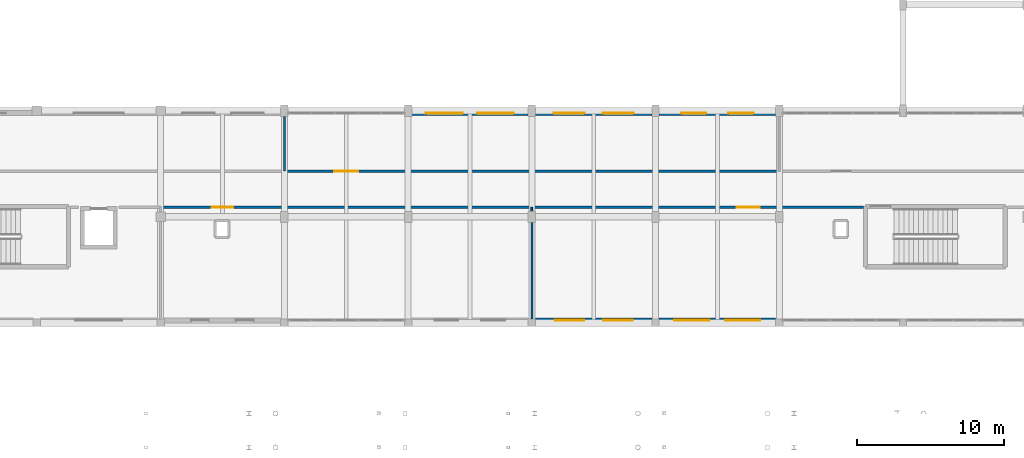
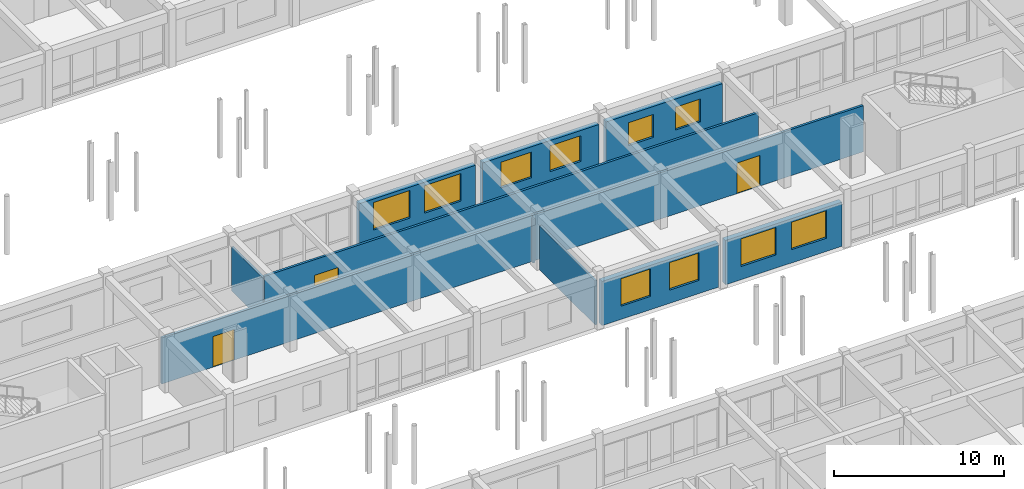
# One storey, part 73 of 90: 11 walls, 10 windows, 3 doors, 13 openings.
"""IFC4 building model written with IfcOpenShell, lengths in metres."""

from ifc_helpers import new_model, si_unit, direction, frame, frame_2d, origin, place, context, subcontext, project, spatial, rectangle, extrude, material, layer, layer_set, type_object, element, fill, save


model = new_model("IFC4")

# Units and contexts
model_context = context("Model", 3, precision=1e-05, world=origin(), true_north=direction((0.0, 1.0)))
body_context = subcontext(model_context, "Body", "Model", "MODEL_VIEW")
ifc_project = project(units=[si_unit("LENGTHUNIT", "METRE"), si_unit("AREAUNIT", "SQUARE_METRE"), si_unit("VOLUMEUNIT", "CUBIC_METRE"), si_unit("PLANEANGLEUNIT", "RADIAN"), si_unit("MASSUNIT", "GRAM", prefix="KILO")], contexts=[model_context])

# Site, building, storey
site_placement = place(None, origin())
site = spatial("IfcSite", under=ifc_project, at=site_placement, CompositionType="ELEMENT")
building_placement = place(site_placement, origin())
building = spatial("IfcBuilding", under=site, at=building_placement, Name="Malvenik Polytechnic", CompositionType="ELEMENT")
storey_placement = place(building_placement, frame((0.0, 0.0, 9.300048828125)))
storey = spatial("IfcBuildingStorey", under=building, at=storey_placement, Name="L02", CompositionType="ELEMENT", Elevation=9.300048828125)

# Wall, openings, windows
ifc_material_1 = material(Name="Concrete C30/37", Category="concrete")
ifc_layer_1 = layer(ifc_material_1, 0.340087890625)
ifc_layer_set_1 = layer_set([ifc_layer_1], Name="Concrete C30/37")
wall_type_1 = type_object("IfcWallType", Name="ARC-EW-340", PredefinedType="SOLIDWALL", material=ifc_layer_set_1)
wall_1_placement = place(storey_placement, frame((66.951904296875, 79.3701171875, 0.0), z_axis=(0.0, 0.0, 1.0), x_axis=(-1.0, 0.0, 0.0)))
wall_1 = element("IfcWall", 1, at=wall_1_placement, inside=storey, type_object=wall_type_1, Name="External Facade Wall EW-02 L02 #301", PredefinedType="SOLIDWALL", context=body_context, shape_type="SweptSolid", body=[
    extrude(rectangle(XDim=7.90380859375, YDim=0.340087890625, at=frame_2d((3.951904296875, 0.0))), origin(), (0.0, 0.0, 1.0), 3.179931640625),
])
opening_1_placement = place(wall_1_placement, frame((1.03466796875, 0.0, 0.949951171875)))
opening_1 = element("IfcOpeningElement", 2, at=opening_1_placement, cuts=wall_1, Name="Opening W-01", PredefinedType="OPENING", context=body_context, shape_type="SweptSolid", body=[
    extrude(rectangle(XDim=2.39990234375, YDim=1.97998046875, at=frame_2d((1.199951171875, 0.989990234375))), frame((0.0, 0.18017578125, 0.0), z_axis=(0.0, -1.0, 0.0), x_axis=(1.0, 0.0, 0.0)), (0.0, 0.0, 1.0), 0.360107421875),
])
opening_2_placement = place(wall_1_placement, frame((4.469482421875, 0.0, 0.949951171875)))
opening_2 = element("IfcOpeningElement", 3, at=opening_2_placement, cuts=wall_1, Name="Opening W-01", PredefinedType="OPENING", context=body_context, shape_type="SweptSolid", body=[
    extrude(rectangle(XDim=2.39990234375, YDim=1.97998046875, at=frame_2d((1.199951171875, 0.989990234375))), frame((0.0, 0.18017578125, 0.0), z_axis=(0.0, -1.0, 0.0), x_axis=(1.0, 0.0, 0.0)), (0.0, 0.0, 1.0), 0.360107421875),
])
ifc_material_2 = material(Name="Thermally broken aluminium frame with low-E double glazing", Category="aluminium")
window_type_1 = type_object("IfcWindowType", Name="ARC-WIN-W-01", PartitioningType="SINGLE_PANEL", PredefinedType="WINDOW", material=ifc_material_2)
window_1_placement = place(opening_1_placement, origin())
window_1 = element("IfcWindow", 4, at=window_1_placement, inside=storey, type_object=window_type_1, Name="Punched Window W-01 L02 #273", OverallHeight=1.97998046875, OverallWidth=2.39990234375, PartitioningType="SINGLE_PANEL", PredefinedType="WINDOW", context=body_context, shape_type="SweptSolid", body=[
    extrude(rectangle(XDim=2.39990234375, YDim=1.97998046875, at=frame_2d((1.199951171875, 0.989990234375))), frame((0.0, 0.030029296875, 0.0), z_axis=(0.0, -1.0, 0.0), x_axis=(1.0, 0.0, 0.0)), (0.0, 0.0, 1.0), 0.06005859375),
])
fill(opening_1, window_1)
window_2_placement = place(opening_2_placement, origin())
window_2 = element("IfcWindow", 5, at=window_2_placement, inside=storey, type_object=window_type_1, Name="Punched Window W-01 L02 #274", OverallHeight=1.97998046875, OverallWidth=2.39990234375, PartitioningType="SINGLE_PANEL", PredefinedType="WINDOW", context=body_context, shape_type="SweptSolid", body=[
    extrude(rectangle(XDim=2.39990234375, YDim=1.97998046875, at=frame_2d((1.199951171875, 0.989990234375))), frame((0.0, 0.030029296875, 0.0), z_axis=(0.0, -1.0, 0.0), x_axis=(1.0, 0.0, 0.0)), (0.0, 0.0, 1.0), 0.06005859375),
])
fill(opening_2, window_2)

wall_2_placement = place(storey_placement, frame((58.552001953125, 79.3701171875, 0.0), z_axis=(0.0, 0.0, 1.0), x_axis=(-1.0, 0.0, 0.0)))
wall_2 = element("IfcWall", 6, at=wall_2_placement, inside=storey, type_object=wall_type_1, Name="External Facade Wall EW-02 L02 #302", PredefinedType="SOLIDWALL", context=body_context, shape_type="SweptSolid", body=[
    extrude(rectangle(XDim=7.904052734375, YDim=0.340087890625, at=frame_2d((3.9521484375, 0.0))), origin(), (0.0, 0.0, 1.0), 3.179931640625),
])
opening_3_placement = place(wall_2_placement, frame((1.30126953125, 0.0, 0.949951171875)))
opening_3 = element("IfcOpeningElement", 7, at=opening_3_placement, cuts=wall_2, Name="Opening W-03", PredefinedType="OPENING", context=body_context, shape_type="SweptSolid", body=[
    extrude(rectangle(XDim=2.0, YDim=1.97998046875, at=frame_2d((1.0, 0.989990234375))), frame((0.0, 0.18017578125, 0.0), z_axis=(0.0, -1.0, 0.0), x_axis=(1.0, 0.0, 0.0)), (0.0, 0.0, 1.0), 0.360107421875),
])
opening_4_placement = place(wall_2_placement, frame((4.6025390625, 0.0, 0.949951171875)))
opening_4 = element("IfcOpeningElement", 8, at=opening_4_placement, cuts=wall_2, Name="Opening W-03", PredefinedType="OPENING", context=body_context, shape_type="SweptSolid", body=[
    extrude(rectangle(XDim=2.0, YDim=1.97998046875, at=frame_2d((1.0, 0.989990234375))), frame((0.0, 0.18017578125, 0.0), z_axis=(0.0, -1.0, 0.0), x_axis=(1.0, 0.0, 0.0)), (0.0, 0.0, 1.0), 0.360107421875),
])
window_type_2 = type_object("IfcWindowType", Name="ARC-WIN-W-03", PartitioningType="SINGLE_PANEL", PredefinedType="WINDOW", material=ifc_material_2)
window_3_placement = place(opening_3_placement, origin())
window_3 = element("IfcWindow", 9, at=window_3_placement, inside=storey, type_object=window_type_2, Name="Punched Window W-03 L02 #275", OverallHeight=1.97998046875, OverallWidth=2.0, PartitioningType="SINGLE_PANEL", PredefinedType="WINDOW", context=body_context, shape_type="SweptSolid", body=[
    extrude(rectangle(XDim=2.0, YDim=1.97998046875, at=frame_2d((1.0, 0.989990234375))), frame((0.0, 0.030029296875, 0.0), z_axis=(0.0, -1.0, 0.0), x_axis=(1.0, 0.0, 0.0)), (0.0, 0.0, 1.0), 0.06005859375),
])
fill(opening_3, window_3)
window_4_placement = place(opening_4_placement, origin())
window_4 = element("IfcWindow", 10, at=window_4_placement, inside=storey, type_object=window_type_2, Name="Punched Window W-03 L02 #276", OverallHeight=1.97998046875, OverallWidth=2.0, PartitioningType="SINGLE_PANEL", PredefinedType="WINDOW", context=body_context, shape_type="SweptSolid", body=[
    extrude(rectangle(XDim=2.0, YDim=1.97998046875, at=frame_2d((1.0, 0.989990234375))), frame((0.0, 0.030029296875, 0.0), z_axis=(0.0, -1.0, 0.0), x_axis=(1.0, 0.0, 0.0)), (0.0, 0.0, 1.0), 0.06005859375),
])
fill(opening_4, window_4)

wall_3_placement = place(storey_placement, frame((42.248046875, 93.429931640625, 0.0), z_axis=(0.0, 0.0, 1.0), x_axis=(1.0, 0.0, 0.0)))
wall_3 = element("IfcWall", 11, at=wall_3_placement, inside=storey, type_object=wall_type_1, Name="External Facade Wall EW-02 L02 #314", PredefinedType="SOLIDWALL", context=body_context, shape_type="SweptSolid", body=[
    extrude(rectangle(XDim=7.904052734375, YDim=0.340087890625, at=frame_2d((3.9521484375, 0.0))), origin(), (0.0, 0.0, 1.0), 3.179931640625),
])
opening_5_placement = place(wall_3_placement, frame((0.968017578125, 0.0, 0.949951171875)))
opening_5 = element("IfcOpeningElement", 12, at=opening_5_placement, cuts=wall_3, Name="Opening W-21", PredefinedType="OPENING", context=body_context, shape_type="SweptSolid", body=[
    extrude(rectangle(XDim=2.5, YDim=1.97998046875, at=frame_2d((1.25, 0.989990234375))), frame((0.0, 0.18017578125, 0.0), z_axis=(0.0, -1.0, 0.0), x_axis=(1.0, 0.0, 0.0)), (0.0, 0.0, 1.0), 0.360107421875),
])
opening_6_placement = place(wall_3_placement, frame((4.43603515625, 0.0, 0.949951171875)))
opening_6 = element("IfcOpeningElement", 13, at=opening_6_placement, cuts=wall_3, Name="Opening W-21", PredefinedType="OPENING", context=body_context, shape_type="SweptSolid", body=[
    extrude(rectangle(XDim=2.5, YDim=1.97998046875, at=frame_2d((1.25, 0.989990234375))), frame((0.0, 0.18017578125, 0.0), z_axis=(0.0, -1.0, 0.0), x_axis=(1.0, 0.0, 0.0)), (0.0, 0.0, 1.0), 0.360107421875),
])
window_type_3 = type_object("IfcWindowType", Name="ARC-WIN-W-21", PartitioningType="SINGLE_PANEL", PredefinedType="WINDOW", material=ifc_material_2)
window_5_placement = place(opening_5_placement, origin())
window_5 = element("IfcWindow", 14, at=window_5_placement, inside=storey, type_object=window_type_3, Name="Punched Window W-21 L02 #293", OverallHeight=1.97998046875, OverallWidth=2.5, PartitioningType="SINGLE_PANEL", PredefinedType="WINDOW", context=body_context, shape_type="SweptSolid", body=[
    extrude(rectangle(XDim=2.5, YDim=1.97998046875, at=frame_2d((1.25, 0.989990234375))), frame((0.0, 0.030029296875, 0.0), z_axis=(0.0, -1.0, 0.0), x_axis=(1.0, 0.0, 0.0)), (0.0, 0.0, 1.0), 0.06005859375),
])
fill(opening_5, window_5)
window_6_placement = place(opening_6_placement, origin())
window_6 = element("IfcWindow", 15, at=window_6_placement, inside=storey, type_object=window_type_3, Name="Punched Window W-21 L02 #294", OverallHeight=1.97998046875, OverallWidth=2.5, PartitioningType="SINGLE_PANEL", PredefinedType="WINDOW", context=body_context, shape_type="SweptSolid", body=[
    extrude(rectangle(XDim=2.5, YDim=1.97998046875, at=frame_2d((1.25, 0.989990234375))), frame((0.0, 0.030029296875, 0.0), z_axis=(0.0, -1.0, 0.0), x_axis=(1.0, 0.0, 0.0)), (0.0, 0.0, 1.0), 0.06005859375),
])
fill(opening_6, window_6)

wall_4_placement = place(storey_placement, frame((50.64794921875, 93.429931640625, 0.0), z_axis=(0.0, 0.0, 1.0), x_axis=(1.0, 0.0, 0.0)))
wall_4 = element("IfcWall", 16, at=wall_4_placement, inside=storey, type_object=wall_type_1, Name="External Facade Wall EW-02 L02 #315", PredefinedType="SOLIDWALL", context=body_context, shape_type="SweptSolid", body=[
    extrude(rectangle(XDim=7.904052734375, YDim=0.340087890625, at=frame_2d((3.9521484375, 0.0))), origin(), (0.0, 0.0, 1.0), 3.179931640625),
])
opening_7_placement = place(wall_4_placement, frame((1.234619140625, 0.0, 0.949951171875)))
opening_7 = element("IfcOpeningElement", 17, at=opening_7_placement, cuts=wall_4, Name="Opening W-23", PredefinedType="OPENING", context=body_context, shape_type="SweptSolid", body=[
    extrude(rectangle(XDim=2.10009765625, YDim=1.85009765625, at=frame_2d((1.050048828125, 0.925048828125))), frame((0.0, 0.18017578125, 0.0), z_axis=(0.0, -1.0, 0.0), x_axis=(1.0, 0.0, 0.0)), (0.0, 0.0, 1.0), 0.360107421875),
])
opening_8_placement = place(wall_4_placement, frame((4.5693359375, 0.0, 0.949951171875)))
opening_8 = element("IfcOpeningElement", 18, at=opening_8_placement, cuts=wall_4, Name="Opening W-23", PredefinedType="OPENING", context=body_context, shape_type="SweptSolid", body=[
    extrude(rectangle(XDim=2.10009765625, YDim=1.85009765625, at=frame_2d((1.050048828125, 0.925048828125))), frame((0.0, 0.18017578125, 0.0), z_axis=(0.0, -1.0, 0.0), x_axis=(1.0, 0.0, 0.0)), (0.0, 0.0, 1.0), 0.360107421875),
])
window_type_4 = type_object("IfcWindowType", Name="ARC-WIN-W-23", PartitioningType="SINGLE_PANEL", PredefinedType="WINDOW", material=ifc_material_2)
window_7_placement = place(opening_7_placement, origin())
window_7 = element("IfcWindow", 19, at=window_7_placement, inside=storey, type_object=window_type_4, Name="Punched Window W-23 L02 #295", OverallHeight=1.85009765625, OverallWidth=2.10009765625, PartitioningType="SINGLE_PANEL", PredefinedType="WINDOW", context=body_context, shape_type="SweptSolid", body=[
    extrude(rectangle(XDim=2.10009765625, YDim=1.85009765625, at=frame_2d((1.050048828125, 0.925048828125))), frame((0.0, 0.030029296875, 0.0), z_axis=(0.0, -1.0, 0.0), x_axis=(1.0, 0.0, 0.0)), (0.0, 0.0, 1.0), 0.06005859375),
])
fill(opening_7, window_7)
window_8_placement = place(opening_8_placement, origin())
window_8 = element("IfcWindow", 20, at=window_8_placement, inside=storey, type_object=window_type_4, Name="Punched Window W-23 L02 #296", OverallHeight=1.85009765625, OverallWidth=2.10009765625, PartitioningType="SINGLE_PANEL", PredefinedType="WINDOW", context=body_context, shape_type="SweptSolid", body=[
    extrude(rectangle(XDim=2.10009765625, YDim=1.85009765625, at=frame_2d((1.050048828125, 0.925048828125))), frame((0.0, 0.030029296875, 0.0), z_axis=(0.0, -1.0, 0.0), x_axis=(1.0, 0.0, 0.0)), (0.0, 0.0, 1.0), 0.06005859375),
])
fill(opening_8, window_8)

wall_5_placement = place(storey_placement, frame((59.048095703125, 93.429931640625, 0.0), z_axis=(0.0, 0.0, 1.0), x_axis=(1.0, 0.0, 0.0)))
wall_5 = element("IfcWall", 21, at=wall_5_placement, inside=storey, type_object=wall_type_1, Name="External Facade Wall EW-02 L02 #316", PredefinedType="SOLIDWALL", context=body_context, shape_type="SweptSolid", body=[
    extrude(rectangle(XDim=7.90380859375, YDim=0.340087890625, at=frame_2d((3.951904296875, 0.0))), origin(), (0.0, 0.0, 1.0), 3.179931640625),
])
opening_9_placement = place(wall_5_placement, frame((1.501220703125, 0.0, 0.949951171875)))
opening_9 = element("IfcOpeningElement", 22, at=opening_9_placement, cuts=wall_5, Name="Opening W-25", PredefinedType="OPENING", context=body_context, shape_type="SweptSolid", body=[
    extrude(rectangle(XDim=1.699951171875, YDim=1.64990234375, at=frame_2d((0.85009765625, 0.824951171875))), frame((0.0, 0.18017578125, 0.0), z_axis=(0.0, -1.0, 0.0), x_axis=(1.0, 0.0, 0.0)), (0.0, 0.0, 1.0), 0.360107421875),
])
opening_10_placement = place(wall_5_placement, frame((4.70263671875, 0.0, 0.949951171875)))
opening_10 = element("IfcOpeningElement", 23, at=opening_10_placement, cuts=wall_5, Name="Opening W-25", PredefinedType="OPENING", context=body_context, shape_type="SweptSolid", body=[
    extrude(rectangle(XDim=1.699951171875, YDim=1.64990234375, at=frame_2d((0.85009765625, 0.824951171875))), frame((0.0, 0.18017578125, 0.0), z_axis=(0.0, -1.0, 0.0), x_axis=(1.0, 0.0, 0.0)), (0.0, 0.0, 1.0), 0.360107421875),
])
window_type_5 = type_object("IfcWindowType", Name="ARC-WIN-W-25", PartitioningType="SINGLE_PANEL", PredefinedType="WINDOW", material=ifc_material_2)
window_9_placement = place(opening_9_placement, origin())
window_9 = element("IfcWindow", 24, at=window_9_placement, inside=storey, type_object=window_type_5, Name="Punched Window W-25 L02 #297", OverallHeight=1.64990234375, OverallWidth=1.699951171875, PartitioningType="SINGLE_PANEL", PredefinedType="WINDOW", context=body_context, shape_type="SweptSolid", body=[
    extrude(rectangle(XDim=1.699951171875, YDim=1.64990234375, at=frame_2d((0.85009765625, 0.824951171875))), frame((0.0, 0.030029296875, 0.0), z_axis=(0.0, -1.0, 0.0), x_axis=(1.0, 0.0, 0.0)), (0.0, 0.0, 1.0), 0.06005859375),
])
fill(opening_9, window_9)
window_10_placement = place(opening_10_placement, origin())
window_10 = element("IfcWindow", 25, at=window_10_placement, inside=storey, type_object=window_type_5, Name="Punched Window W-25 L02 #298", OverallHeight=1.64990234375, OverallWidth=1.699951171875, PartitioningType="SINGLE_PANEL", PredefinedType="WINDOW", context=body_context, shape_type="SweptSolid", body=[
    extrude(rectangle(XDim=1.699951171875, YDim=1.64990234375, at=frame_2d((0.85009765625, 0.824951171875))), frame((0.0, 0.030029296875, 0.0), z_axis=(0.0, -1.0, 0.0), x_axis=(1.0, 0.0, 0.0)), (0.0, 0.0, 1.0), 0.06005859375),
])
fill(opening_10, window_10)

# Walls
ifc_material_3 = material(Name="Metal-stud gypsum board partition 125mm", Category="gypsum")
ifc_layer_2 = layer(ifc_material_3, 0.125)
ifc_layer_set_2 = layer_set([ifc_layer_2], Name="Metal-stud gypsum board partition 125mm")
wall_type_2 = type_object("IfcWallType", Name="ARC-PW-125", PredefinedType="PARTITIONING", material=ifc_layer_set_2)
wall_6_placement = place(storey_placement, frame((50.39990234375, 86.794921875, 0.0), z_axis=(0.0, 0.0, 1.0), x_axis=(0.0, 1.0, 0.0)))
element("IfcWall", 26, at=wall_6_placement, inside=storey, type_object=wall_type_2, Name="Interior Partition PW-03I L02 #277", PredefinedType="PARTITIONING", context=body_context, shape_type="SweptSolid", body=[
    extrude(rectangle(XDim=0.255126953125, YDim=0.125, at=frame_2d((0.12744140625, 0.0))), origin(), (0.0, 0.0, 1.0), 3.175048828125),
])
ifc_material_4 = material(Name="Acoustic metal-stud gypsum partition 140mm", Category="gypsum")
ifc_layer_3 = layer(ifc_material_4, 0.139892578125)
ifc_layer_set_3 = layer_set([ifc_layer_3], Name="Acoustic metal-stud gypsum partition 140mm")
wall_type_3 = type_object("IfcWallType", Name="ARC-PW-140", PredefinedType="PARTITIONING", material=ifc_layer_set_3)
wall_7_placement = place(storey_placement, frame((33.60009765625, 89.5, 0.0), z_axis=(0.0, 0.0, 1.0), x_axis=(0.0, 1.0, 0.0)))
element("IfcWall", 27, at=wall_7_placement, inside=storey, type_object=wall_type_3, Name="Interior Partition PW-02I L02 #264", PredefinedType="PARTITIONING", context=body_context, shape_type="SweptSolid", body=[
    extrude(rectangle(XDim=3.705078125, YDim=0.139892578125, at=frame_2d((1.8525390625, 0.0))), origin(), (0.0, 0.0, 1.0), 3.175048828125),
])
wall_8_placement = place(storey_placement, frame((50.39990234375, 79.469970703125, 0.0), z_axis=(0.0, 0.0, 1.0), x_axis=(0.0, 1.0, 0.0)))
element("IfcWall", 28, at=wall_8_placement, inside=storey, type_object=wall_type_3, Name="Interior Partition PW-02I L02 #276", PredefinedType="PARTITIONING", context=body_context, shape_type="SweptSolid", body=[
    extrude(rectangle(XDim=6.534912109375, YDim=0.139892578125, at=frame_2d((3.267578125, 0.0))), origin(), (0.0, 0.0, 1.0), 3.175048828125),
])

# Wall, opening, door
ifc_material_5 = material(Name="Double-stud acoustic gypsum board partition 160mm", Category="gypsum")
ifc_layer_4 = layer(ifc_material_5, 0.159912109375)
ifc_layer_set_4 = layer_set([ifc_layer_4], Name="Double-stud acoustic gypsum board partition 160mm")
wall_type_4 = type_object("IfcWallType", Name="ARC-PW-160", PredefinedType="PARTITIONING", material=ifc_layer_set_4)
wall_9_placement = place(storey_placement, frame((33.60009765625, 89.5, 0.0), z_axis=(0.0, 0.0, 1.0), x_axis=(1.0, 0.0, 0.0)))
wall_9 = element("IfcWall", 29, at=wall_9_placement, inside=storey, type_object=wall_type_4, Name="Interior Partition PW-01I L02 #265", PredefinedType="PARTITIONING", context=body_context, shape_type="SweptSolid", body=[
    extrude(rectangle(XDim=33.599853515625, YDim=0.159912109375, at=frame_2d((16.7998046875, 0.0))), origin(), (0.0, 0.0, 1.0), 3.324951171875),
])
opening_11_placement = place(wall_9_placement, frame((3.375, 0.0, 0.0)))
opening_11 = element("IfcOpeningElement", 30, at=opening_11_placement, cuts=wall_9, Name="Opening FD-03", PredefinedType="OPENING", context=body_context, shape_type="SweptSolid", body=[
    extrude(rectangle(XDim=1.64990234375, YDim=2.199951171875, at=frame_2d((0.824951171875, 1.10009765625))), frame((0.0, 0.08984375, 0.0), z_axis=(0.0, -1.0, 0.0), x_axis=(1.0, 0.0, 0.0)), (0.0, 0.0, 1.0), 0.179931640625),
])
ifc_material_6 = material(Name="Fire-rated double-leaf laboratory door", Category="steel")
door_type_1 = type_object("IfcDoorType", Name="ARC-IDR-FD-03", OperationType="NOTDEFINED", PredefinedType="DOOR", material=ifc_material_6)
door_1_placement = place(opening_11_placement, origin())
door_1 = element("IfcDoor", 31, at=door_1_placement, inside=storey, type_object=door_type_1, Name="Interior Door FD-03 L02 #113", OperationType="DOUBLE_DOOR_SINGLE_SWING", OverallHeight=2.199951171875, OverallWidth=1.64990234375, PredefinedType="DOOR", context=body_context, shape_type="SweptSolid", body=[
    extrude(rectangle(XDim=1.64990234375, YDim=2.199951171875, at=frame_2d((0.824951171875, 1.10009765625))), frame((0.0, 0.02490234375, 0.0), z_axis=(0.0, -1.0, 0.0), x_axis=(1.0, 0.0, 0.0)), (0.0, 0.0, 1.0), 0.050048828125),
])
fill(opening_11, door_1)

wall_10_placement = place(storey_placement, frame((50.39990234375, 87.050048828125, 0.0), z_axis=(0.0, 0.0, 1.0), x_axis=(-1.0, 0.0, 0.0)))
wall_10 = element("IfcWall", 32, at=wall_10_placement, inside=storey, type_object=wall_type_4, Name="Interior Partition PW-01I L02 #275", PredefinedType="PARTITIONING", context=body_context, shape_type="SweptSolid", body=[
    extrude(rectangle(XDim=25.199951171875, YDim=0.159912109375, at=frame_2d((12.60009765625, 0.0))), origin(), (0.0, 0.0, 1.0), 3.324951171875),
])
opening_12_placement = place(wall_10_placement, frame((20.27490234375, 0.0, 0.0)))
opening_12 = element("IfcOpeningElement", 33, at=opening_12_placement, cuts=wall_10, Name="Opening FD-08", PredefinedType="OPENING", context=body_context, shape_type="SweptSolid", body=[
    extrude(rectangle(XDim=1.449951171875, YDim=2.199951171875, at=frame_2d((0.72509765625, 1.10009765625))), frame((0.0, 0.08984375, 0.0), z_axis=(0.0, -1.0, 0.0), x_axis=(1.0, 0.0, 0.0)), (0.0, 0.0, 1.0), 0.179931640625),
])
ifc_material_7 = material(Name="Fire-rated seminar corridor door", Category="steel")
door_type_2 = type_object("IfcDoorType", Name="ARC-IDR-FD-08", OperationType="NOTDEFINED", PredefinedType="DOOR", material=ifc_material_7)
door_2_placement = place(opening_12_placement, origin())
door_2 = element("IfcDoor", 34, at=door_2_placement, inside=storey, type_object=door_type_2, Name="Interior Door FD-08 L02 #117", OperationType="SINGLE_SWING_RIGHT", OverallHeight=2.199951171875, OverallWidth=1.449951171875, PredefinedType="DOOR", context=body_context, shape_type="SweptSolid", body=[
    extrude(rectangle(XDim=1.449951171875, YDim=2.199951171875, at=frame_2d((0.72509765625, 1.10009765625))), frame((0.0, 0.02490234375, 0.0), z_axis=(0.0, -1.0, 0.0), x_axis=(1.0, 0.0, 0.0)), (0.0, 0.0, 1.0), 0.050048828125),
])
fill(opening_12, door_2)

wall_11_placement = place(storey_placement, frame((72.909912109375, 87.050048828125, 0.0), z_axis=(0.0, 0.0, 1.0), x_axis=(-1.0, 0.0, 0.0)))
wall_11 = element("IfcWall", 35, at=wall_11_placement, inside=storey, type_object=wall_type_4, Name="Interior Partition PW-01I L02 #279", PredefinedType="PARTITIONING", context=body_context, shape_type="SweptSolid", body=[
    extrude(rectangle(XDim=22.510009765625, YDim=0.159912109375, at=frame_2d((11.2548828125, 0.0))), origin(), (0.0, 0.0, 1.0), 3.324951171875),
])
opening_13_placement = place(wall_11_placement, frame((7.034912109375, 0.0, 0.0)))
opening_13 = element("IfcOpeningElement", 36, at=opening_13_placement, cuts=wall_11, Name="Opening FD-09", PredefinedType="OPENING", context=body_context, shape_type="SweptSolid", body=[
    extrude(rectangle(XDim=1.550048828125, YDim=2.199951171875, at=frame_2d((0.77490234375, 1.10009765625))), frame((0.0, 0.08984375, 0.0), z_axis=(0.0, -1.0, 0.0), x_axis=(1.0, 0.0, 0.0)), (0.0, 0.0, 1.0), 0.179931640625),
])
ifc_material_8 = material(Name="Fire-rated studio corridor double door", Category="steel")
door_type_3 = type_object("IfcDoorType", Name="ARC-IDR-FD-09", OperationType="NOTDEFINED", PredefinedType="DOOR", material=ifc_material_8)
door_3_placement = place(opening_13_placement, origin())
door_3 = element("IfcDoor", 37, at=door_3_placement, inside=storey, type_object=door_type_3, Name="Interior Door FD-09 L02 #118", OperationType="DOUBLE_DOOR_SINGLE_SWING", OverallHeight=2.199951171875, OverallWidth=1.550048828125, PredefinedType="DOOR", context=body_context, shape_type="SweptSolid", body=[
    extrude(rectangle(XDim=1.550048828125, YDim=2.199951171875, at=frame_2d((0.77490234375, 1.10009765625))), frame((0.0, 0.02490234375, 0.0), z_axis=(0.0, -1.0, 0.0), x_axis=(1.0, 0.0, 0.0)), (0.0, 0.0, 1.0), 0.050048828125),
])
fill(opening_13, door_3)

save(model, "model.ifc")
